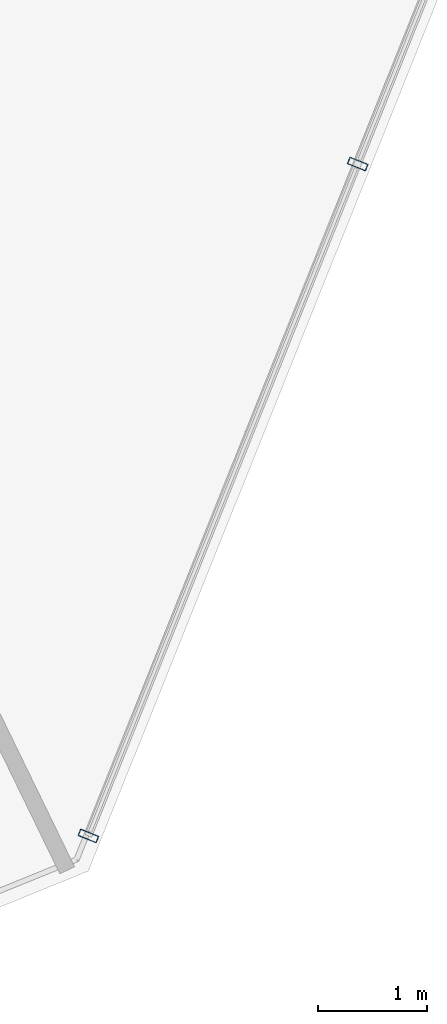
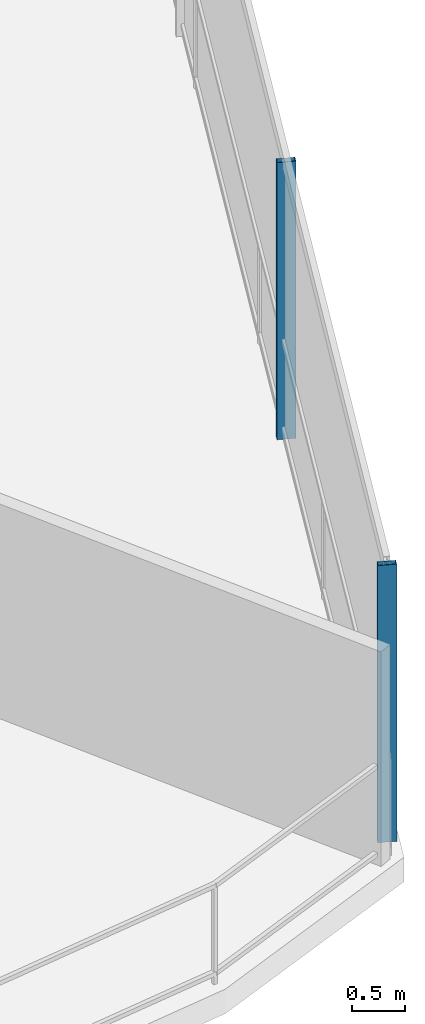
# One storey, part 10 of 29: 2 members, 1 element without a shape of its own.
"""IFC4 building model written with IfcOpenShell, lengths in metres."""

from ifc_helpers import new_model, si_unit, direction, frame, origin, origin_2d, place, context, subcontext, project, spatial, hollow_rectangle, extrude, material, layer, layer_set, material_profile, profile_set, type_object, element, aggregate, save


model = new_model("IFC4")

# Units and contexts
model_context = context("Model", 3, precision=1e-05, world=origin(), true_north=direction((0.0, 1.0)))
body_context = subcontext(model_context, "Body", "Model", "MODEL_VIEW")
ifc_project = project(units=[si_unit("LENGTHUNIT", "METRE"), si_unit("AREAUNIT", "SQUARE_METRE"), si_unit("VOLUMEUNIT", "CUBIC_METRE"), si_unit("PLANEANGLEUNIT", "RADIAN"), si_unit("MASSUNIT", "GRAM", prefix="KILO")], contexts=[model_context])

# Site, building, storey
site_placement = place(None, origin())
site = spatial("IfcSite", under=ifc_project, at=site_placement, CompositionType="ELEMENT")
building_placement = place(site_placement, origin())
building = spatial("IfcBuilding", under=site, at=building_placement, Name="Qarnah Convention Tower", CompositionType="ELEMENT")
storey_placement = place(building_placement, frame((0.0, 0.0, 97.050048828125)))
storey = spatial("IfcBuildingStorey", under=building, at=storey_placement, Name="L25", CompositionType="ELEMENT", Elevation=97.050048828125)

# Curtain wall, members
ifc_material_1 = material(Name="Tempered Low-E dark glass", Category="glass")
ifc_layer = layer(ifc_material_1, 0.169921875)
ifc_layer_set = layer_set([ifc_layer], Name="Tempered Low-E dark glass")
curtain_wall_type = type_object("IfcCurtainWallType", Name="CWS-02", PredefinedType="NOTDEFINED", material=ifc_layer_set)
curtain_wall_placement = place(storey_placement, origin())
curtain_wall = element("IfcCurtainWall", 1, at=curtain_wall_placement, inside=storey, type_object=curtain_wall_type, Name="L25 unitised curtain wall CW-L25-F2", PredefinedType="NOTDEFINED")
ifc_material_2 = material(Name="Black anodised aluminium", Category="aluminium")
ifc_material_profile = material_profile(ifc_material_2, hollow_rectangle(XDim=0.06494140625, YDim=0.179931640625, WallThickness=0.00390625, at=origin_2d()), Name="MUL-65X180")
ifc_profile_set = profile_set([ifc_material_profile], Name="Black anodised aluminium")
member_type = type_object("IfcMemberType", Name="MUL-T2", PredefinedType="MULLION", material=ifc_profile_set)
member_1_placement = place(storey_placement, frame((50.930908203125, 10.164306640625, 0.0), z_axis=(0.0, 0.0, 1.0), x_axis=(-0.37202844102, -0.928221330865, 0.0)))
member_1 = element("IfcMember", 2, at=member_1_placement, type_object=member_type, Name="CW-L25-F2 mullion 5", PredefinedType="MULLION", context=body_context, shape_type="SweptSolid", body=[
    extrude(hollow_rectangle(XDim=0.06494140625, YDim=0.179931640625, WallThickness=0.00390625, at=origin_2d()), origin(), (0.0, 0.0, 1.0), 3.169921875),
])
member_2_placement = place(storey_placement, frame((48.45703125, 3.991943359375, 0.0), z_axis=(0.0, 0.0, 1.0), x_axis=(-0.37202844102, -0.928221330865, 0.0)))
member_2 = element("IfcMember", 3, at=member_2_placement, type_object=member_type, Name="CW-L25-F2 mullion 6", PredefinedType="MULLION", context=body_context, shape_type="SweptSolid", body=[
    extrude(hollow_rectangle(XDim=0.06494140625, YDim=0.179931640625, WallThickness=0.00390625, at=origin_2d()), origin(), (0.0, 0.0, 1.0), 3.169921875),
])
aggregate(curtain_wall, [member_1, member_2])

save(model, "model.ifc")
